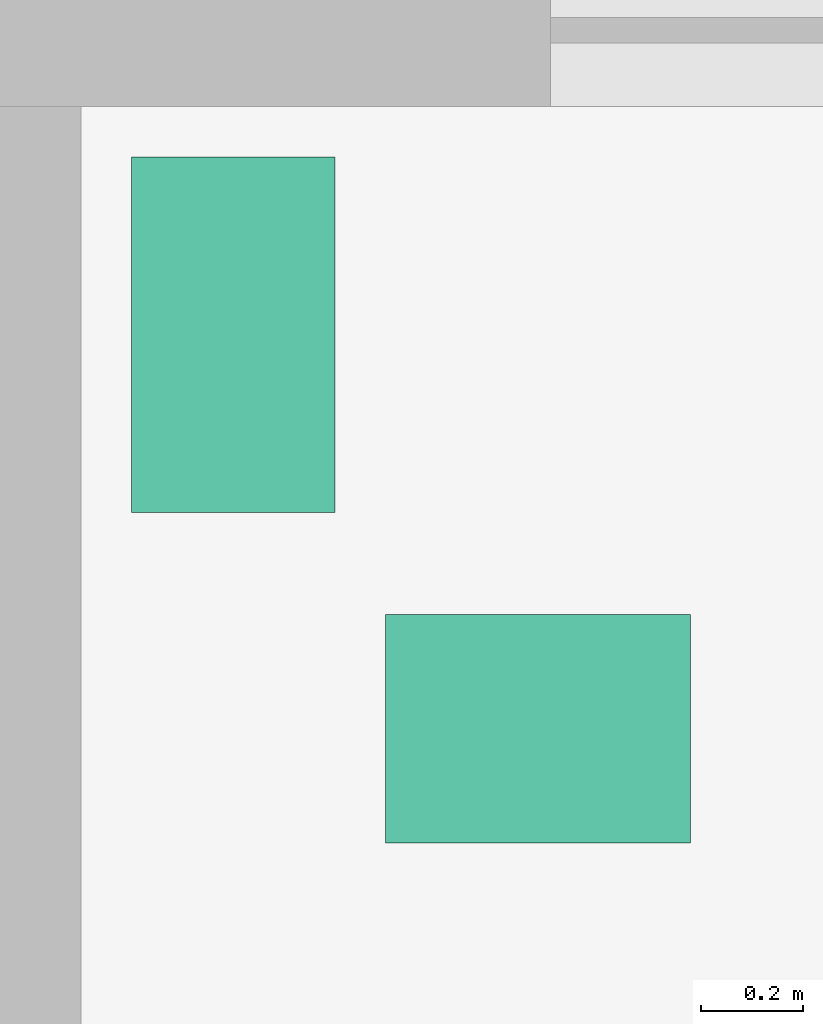
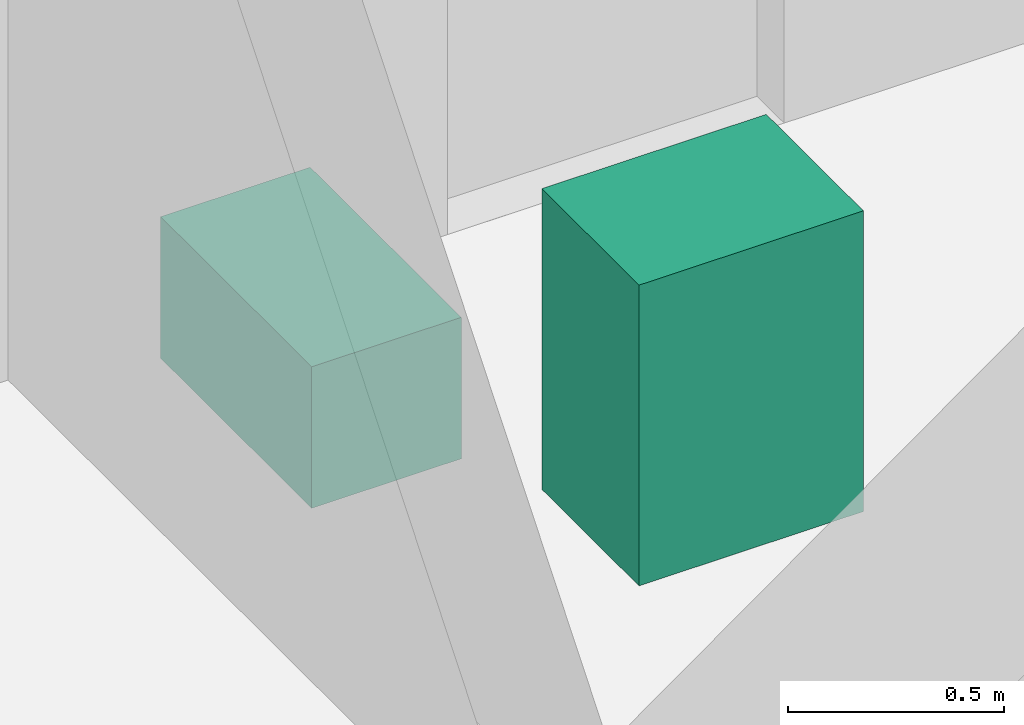
# One storey, part 12 of 12: 2 sanitary terminals.
"""IFC4 building model written with IfcOpenShell, lengths in metres."""

from ifc_helpers import new_model, si_unit, direction, frame, origin, origin_2d, place, context, subcontext, project, spatial, rectangle, extrude, element, save


model = new_model("IFC4")

# Units and contexts
model_context = context("Model", 3, precision=1e-05, world=origin(), true_north=direction((0.0, 1.0)))
body_context = subcontext(model_context, "Body", "Model", "MODEL_VIEW")
ifc_project = project(units=[si_unit("LENGTHUNIT", "METRE"), si_unit("AREAUNIT", "SQUARE_METRE"), si_unit("VOLUMEUNIT", "CUBIC_METRE"), si_unit("PLANEANGLEUNIT", "RADIAN"), si_unit("MASSUNIT", "GRAM", prefix="KILO")], contexts=[model_context])

# Site, building, storey
site_placement = place(None, origin())
site = spatial("IfcSite", under=ifc_project, at=site_placement, CompositionType="ELEMENT")
building_placement = place(site_placement, origin())
building = spatial("IfcBuilding", under=site, at=building_placement, Name="Hankou Lantern Tower", CompositionType="ELEMENT")
storey_placement = place(building_placement, frame((0.0, 0.0, 216.0)))
storey = spatial("IfcBuildingStorey", under=building, at=storey_placement, Name="L58", CompositionType="ELEMENT", Elevation=216.0)

# Sanitary terminals
sanitary_terminal_1_placement = place(storey_placement, frame((-2.574951171875, -2.199951171875, 0.0), z_axis=(0.0, 0.0, 1.0), x_axis=(1.0, 0.0, 0.0)))
element("IfcSanitaryTerminal", 1, at=sanitary_terminal_1_placement, inside=storey, Name="Accessible staff WC WC pan 1", PredefinedType="TOILETPAN", context=body_context, shape_type="SweptSolid", body=[
    extrude(rectangle(XDim=0.39990234375, YDim=0.699951171875, at=origin_2d()), origin(), (0.0, 0.0, 1.0), 0.39990234375),
])
sanitary_terminal_2_placement = place(storey_placement, frame((-1.97509765625, -2.97509765625, 0.0), z_axis=(0.0, 0.0, 1.0), x_axis=(1.0, 0.0, 0.0)))
element("IfcSanitaryTerminal", 2, at=sanitary_terminal_2_placement, inside=storey, Name="Accessible staff WC wash basin 1", PredefinedType="WASHHANDBASIN", context=body_context, shape_type="SweptSolid", body=[
    extrude(rectangle(XDim=0.60009765625, YDim=0.449951171875, at=origin_2d()), origin(), (0.0, 0.0, 1.0), 0.85009765625),
])

save(model, "model.ifc")
